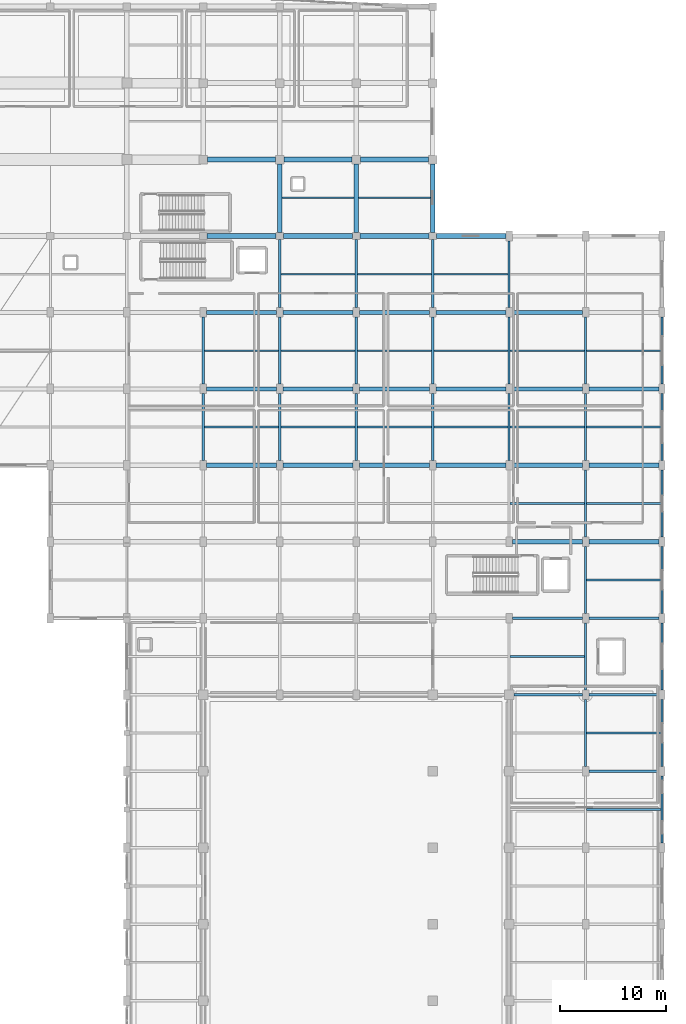
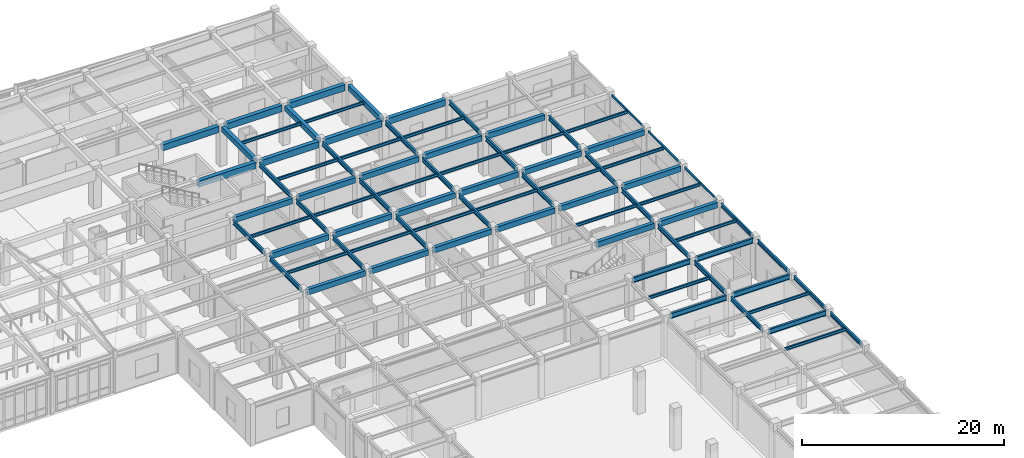
# One storey, part 59 of 117: 84 beams.
"""IFC4 building model written with IfcOpenShell, lengths in metres."""

from ifc_helpers import new_model, si_unit, direction, frame, origin, origin_2d, place, context, subcontext, project, spatial, rectangle, hollow_rectangle, i_section, extrude, material, material_profile, profile_set, type_object, element, save


model = new_model("IFC4")

# Units and contexts
model_context = context("Model", 3, precision=1e-05, world=origin(), true_north=direction((0.0, 1.0)))
body_context = subcontext(model_context, "Body", "Model", "MODEL_VIEW")
ifc_project = project(units=[si_unit("LENGTHUNIT", "METRE"), si_unit("AREAUNIT", "SQUARE_METRE"), si_unit("VOLUMEUNIT", "CUBIC_METRE"), si_unit("PLANEANGLEUNIT", "RADIAN"), si_unit("MASSUNIT", "GRAM", prefix="KILO")], contexts=[model_context])

# Site, building, storey
site_placement = place(None, origin())
site = spatial("IfcSite", under=ifc_project, at=site_placement, CompositionType="ELEMENT")
building_placement = place(site_placement, origin())
building = spatial("IfcBuilding", under=site, at=building_placement, Name="Carrowvane Square Congress Hotel", CompositionType="ELEMENT")
storey_placement = place(building_placement, frame((0.0, 0.0, 5.39990234375)))
storey = spatial("IfcBuildingStorey", under=building, at=storey_placement, Name="L01", CompositionType="ELEMENT", Elevation=5.39990234375)

# Beams
ifc_material_1 = material(Name="Concrete C35/45", Category="concrete")
ifc_material_profile_1 = material_profile(ifc_material_1, rectangle(XDim=0.39990234375, YDim=0.64990234375, at=origin_2d()), Name="RC 400x650")
ifc_profile_set_1 = profile_set([ifc_material_profile_1], Name="Concrete C35/45")
beam_type_1 = type_object("IfcBeamType", Name="BM-RC-400x650", PredefinedType="BEAM", material=ifc_profile_set_1)
beam_1_placement = place(storey_placement, frame((170.300048828125, 63.0, 4.455078125), z_axis=(1.0, 0.0, 0.0), x_axis=(0.0, 1.0, 0.0)))
element("IfcBeam", 1, at=beam_1_placement, inside=storey, type_object=beam_type_1, Name="L02 girder J/23-24", PredefinedType="BEAM", context=body_context, shape_type="SweptSolid", body=[
    extrude(rectangle(XDim=0.39990234375, YDim=0.64990234375, at=origin_2d()), origin(), (0.0, 0.0, 1.0), 6.599853515625),
])
for number, where, z_axis, x_axis, name in (
    (2, (177.5, 63.0, 4.455078125), (1.0, 0.0, 0.0), (0.0, 1.0, 0.0), "L02 girder J/24-25"),
    (3, (141.5, 70.199951171875, 4.455078125), (1.0, 0.0, 0.0), (0.0, 1.0, 0.0), "L02 girder K/19-20"),
    (4, (148.699951171875, 70.199951171875, 4.455078125), (1.0, 0.0, 0.0), (0.0, 1.0, 0.0), "L02 girder K/20-21"),
    (5, (155.89990234375, 70.199951171875, 4.455078125), (1.0, 0.0, 0.0), (0.0, 1.0, 0.0), "L02 girder K/21-22"),
):
    element("IfcBeam", number, at=place(storey_placement, frame(where, z_axis=z_axis, x_axis=x_axis)), inside=storey, type_object=beam_type_1, Name=name, PredefinedType="BEAM", context=body_context, shape_type="SweptSolid", body=[
        extrude(rectangle(XDim=0.39990234375, YDim=0.64990234375, at=origin_2d()), origin(), (0.0, 0.0, 1.0), 6.60009765625),
    ])
for number, where, z_axis, x_axis, name in (
    (6, (163.10009765625, 70.199951171875, 4.455078125), (1.0, 0.0, 0.0), (0.0, 1.0, 0.0), "L02 girder K/22-23"),
    (7, (170.300048828125, 70.199951171875, 4.455078125), (1.0, 0.0, 0.0), (0.0, 1.0, 0.0), "L02 girder K/23-24"),
):
    element("IfcBeam", number, at=place(storey_placement, frame(where, z_axis=z_axis, x_axis=x_axis)), inside=storey, type_object=beam_type_1, Name=name, PredefinedType="BEAM", context=body_context, shape_type="SweptSolid", body=[
        extrude(rectangle(XDim=0.39990234375, YDim=0.64990234375, at=origin_2d()), origin(), (0.0, 0.0, 1.0), 6.599853515625),
    ])
for number, where, z_axis, x_axis, name in (
    (8, (177.5, 70.199951171875, 4.455078125), (1.0, 0.0, 0.0), (0.0, 1.0, 0.0), "L02 girder K/24-25"),
    (9, (141.5, 77.39990234375, 4.455078125), (1.0, 0.0, 0.0), (0.0, 1.0, 0.0), "L02 girder L/19-20"),
    (10, (148.699951171875, 77.39990234375, 4.455078125), (1.0, 0.0, 0.0), (0.0, 1.0, 0.0), "L02 girder L/20-21"),
    (11, (155.89990234375, 77.39990234375, 4.455078125), (1.0, 0.0, 0.0), (0.0, 1.0, 0.0), "L02 girder L/21-22"),
):
    element("IfcBeam", number, at=place(storey_placement, frame(where, z_axis=z_axis, x_axis=x_axis)), inside=storey, type_object=beam_type_1, Name=name, PredefinedType="BEAM", context=body_context, shape_type="SweptSolid", body=[
        extrude(rectangle(XDim=0.39990234375, YDim=0.64990234375, at=origin_2d()), origin(), (0.0, 0.0, 1.0), 6.60009765625),
    ])
for number, where, z_axis, x_axis, name in (
    (12, (163.10009765625, 77.39990234375, 4.455078125), (1.0, 0.0, 0.0), (0.0, 1.0, 0.0), "L02 girder L/22-23"),
    (13, (170.300048828125, 77.39990234375, 4.455078125), (1.0, 0.0, 0.0), (0.0, 1.0, 0.0), "L02 girder L/23-24"),
):
    element("IfcBeam", number, at=place(storey_placement, frame(where, z_axis=z_axis, x_axis=x_axis)), inside=storey, type_object=beam_type_1, Name=name, PredefinedType="BEAM", context=body_context, shape_type="SweptSolid", body=[
        extrude(rectangle(XDim=0.39990234375, YDim=0.64990234375, at=origin_2d()), origin(), (0.0, 0.0, 1.0), 6.599853515625),
    ])
for number, where, z_axis, x_axis, name in (
    (14, (177.5, 77.39990234375, 4.455078125), (1.0, 0.0, 0.0), (0.0, 1.0, 0.0), "L02 girder L/24-25"),
    (15, (141.5, 84.60009765625, 4.455078125), (1.0, 0.0, 0.0), (0.0, 1.0, 0.0), "L02 girder M/19-20"),
    (16, (148.699951171875, 84.60009765625, 4.455078125), (1.0, 0.0, 0.0), (0.0, 1.0, 0.0), "L02 girder M/20-21"),
    (17, (155.89990234375, 84.60009765625, 4.455078125), (1.0, 0.0, 0.0), (0.0, 1.0, 0.0), "L02 girder M/21-22"),
):
    element("IfcBeam", number, at=place(storey_placement, frame(where, z_axis=z_axis, x_axis=x_axis)), inside=storey, type_object=beam_type_1, Name=name, PredefinedType="BEAM", context=body_context, shape_type="SweptSolid", body=[
        extrude(rectangle(XDim=0.39990234375, YDim=0.64990234375, at=origin_2d()), origin(), (0.0, 0.0, 1.0), 6.60009765625),
    ])
for number, where, z_axis, x_axis, name in (
    (18, (163.10009765625, 84.60009765625, 4.455078125), (1.0, 0.0, 0.0), (0.0, 1.0, 0.0), "L02 girder M/22-23"),
    (19, (170.300048828125, 84.60009765625, 4.455078125), (1.0, 0.0, 0.0), (0.0, 1.0, 0.0), "L02 girder M/23-24"),
):
    element("IfcBeam", number, at=place(storey_placement, frame(where, z_axis=z_axis, x_axis=x_axis)), inside=storey, type_object=beam_type_1, Name=name, PredefinedType="BEAM", context=body_context, shape_type="SweptSolid", body=[
        extrude(rectangle(XDim=0.39990234375, YDim=0.64990234375, at=origin_2d()), origin(), (0.0, 0.0, 1.0), 6.599853515625),
    ])
for number, where, z_axis, x_axis, name in (
    (20, (148.39990234375, 92.14990234375, 4.455078125), (0.0, 1.0, 0.0), (-1.0, 0.0, 0.0), "L02 girder 20/N-P"),
    (21, (155.60009765625, 92.14990234375, 4.455078125), (0.0, 1.0, 0.0), (-1.0, 0.0, 0.0), "L02 girder 21/N-P"),
    (22, (162.800048828125, 92.14990234375, 4.455078125), (0.0, 1.0, 0.0), (-1.0, 0.0, 0.0), "L02 girder 22/N-P"),
):
    element("IfcBeam", number, at=place(storey_placement, frame(where, z_axis=z_axis, x_axis=x_axis)), inside=storey, type_object=beam_type_1, Name=name, PredefinedType="BEAM", context=body_context, shape_type="SweptSolid", body=[
        extrude(rectangle(XDim=0.39990234375, YDim=0.64990234375, at=origin_2d()), origin(), (0.0, 0.0, 1.0), 6.4501953125),
    ])
ifc_material_2 = material(Name="Concrete C35/45", Category="concrete")
ifc_material_profile_2 = material_profile(ifc_material_2, rectangle(XDim=0.449951171875, YDim=0.75, at=origin_2d()), Name="RC 450x750")
ifc_profile_set_2 = profile_set([ifc_material_profile_2], Name="Concrete C35/45")
beam_type_2 = type_object("IfcBeamType", Name="BM-RC-450x750", PredefinedType="USERDEFINED", material=ifc_profile_set_2)
for number, where, z_axis, x_axis, name in (
    (23, (141.550048828125, 91.800048828125, 4.405029296875), (1.0, 0.0, 0.0), (0.0, 1.0, 0.0), "L02 girder N/19-20"),
    (24, (148.75, 91.800048828125, 4.405029296875), (1.0, 0.0, 0.0), (0.0, 1.0, 0.0), "L02 girder N/20-21"),
    (25, (155.949951171875, 91.800048828125, 4.405029296875), (1.0, 0.0, 0.0), (0.0, 1.0, 0.0), "L02 girder N/21-22"),
):
    element("IfcBeam", number, at=place(storey_placement, frame(where, z_axis=z_axis, x_axis=x_axis)), inside=storey, type_object=beam_type_2, Name=name, ObjectType="GIRDER", PredefinedType="USERDEFINED", context=body_context, shape_type="SweptSolid", body=[
        extrude(rectangle(XDim=0.449951171875, YDim=0.75, at=origin_2d()), origin(), (0.0, 0.0, 1.0), 6.5),
    ])
beam_2_placement = place(storey_placement, frame((163.14990234375, 91.800048828125, 4.405029296875), z_axis=(1.0, 0.0, 0.0), x_axis=(0.0, 1.0, 0.0)))
element("IfcBeam", 26, at=beam_2_placement, inside=storey, type_object=beam_type_2, Name="L02 girder N/22-23", ObjectType="GIRDER", PredefinedType="USERDEFINED", context=body_context, shape_type="SweptSolid", body=[
    extrude(rectangle(XDim=0.449951171875, YDim=0.75, at=origin_2d()), origin(), (0.0, 0.0, 1.0), 6.550048828125),
])
for number, where, z_axis, x_axis, name in (
    (27, (141.60009765625, 99.0, 4.405029296875), (1.0, 0.0, 0.0), (0.0, 1.0, 0.0), "L02 girder P/19-20"),
    (28, (148.800048828125, 99.0, 4.405029296875), (1.0, 0.0, 0.0), (0.0, 1.0, 0.0), "L02 girder P/20-21"),
    (29, (156.0, 99.0, 4.405029296875), (1.0, 0.0, 0.0), (0.0, 1.0, 0.0), "L02 girder P/21-22"),
):
    element("IfcBeam", number, at=place(storey_placement, frame(where, z_axis=z_axis, x_axis=x_axis)), inside=storey, type_object=beam_type_2, Name=name, ObjectType="GIRDER", PredefinedType="USERDEFINED", context=body_context, shape_type="SweptSolid", body=[
        extrude(rectangle(XDim=0.449951171875, YDim=0.75, at=origin_2d()), origin(), (0.0, 0.0, 1.0), 6.39990234375),
    ])
ifc_material_3 = material(Name="Steel S355", Category="steel")
ifc_material_profile_3 = material_profile(ifc_material_3, hollow_rectangle(XDim=0.14990234375, YDim=0.25, WallThickness=0.012451171875, at=origin_2d()), Name="RHS 250x150x12.5")
ifc_profile_set_3 = profile_set([ifc_material_profile_3], Name="Steel S355")
beam_type_3 = type_object("IfcBeamType", Name="BM-ST-RHS250", PredefinedType="SPANDREL", material=ifc_profile_set_3)
for number, where, z_axis, x_axis, name in (
    (30, (184.39990234375, 63.449951171875, 4.655029296875), (0.0, 1.0, 0.0), (-1.0, 0.0, 0.0), "L02 girder 25/J-K"),
    (31, (184.39990234375, 70.64990234375, 4.655029296875), (0.0, 1.0, 0.0), (-1.0, 0.0, 0.0), "L02 girder 25/K-L"),
):
    element("IfcBeam", number, at=place(storey_placement, frame(where, z_axis=z_axis, x_axis=x_axis)), inside=storey, type_object=beam_type_3, Name=name, PredefinedType="SPANDREL", context=body_context, shape_type="SweptSolid", body=[
        extrude(hollow_rectangle(XDim=0.14990234375, YDim=0.25, WallThickness=0.012451171875, at=origin_2d()), origin(), (0.0, 0.0, 1.0), 6.300048828125),
    ])
beam_3_placement = place(storey_placement, frame((184.39990234375, 77.85009765625, 4.655029296875), z_axis=(0.0, 1.0, 0.0), x_axis=(-1.0, 0.0, 0.0)))
element("IfcBeam", 32, at=beam_3_placement, inside=storey, type_object=beam_type_3, Name="L02 girder 25/L-M", PredefinedType="SPANDREL", context=body_context, shape_type="SweptSolid", body=[
    extrude(hollow_rectangle(XDim=0.14990234375, YDim=0.25, WallThickness=0.012451171875, at=origin_2d()), origin(), (0.0, 0.0, 1.0), 6.2998046875),
])
ifc_material_4 = material(Name="Steel S355", Category="steel")
ifc_material_profile_4 = material_profile(ifc_material_4, i_section(OverallWidth=0.172119140625, OverallDepth=0.35791015625, WebThickness=0.008056640625, FlangeThickness=0.012939453125, FilletRadius=0.01025390625, at=origin_2d()), Name="UKB 356x171x57")
ifc_profile_set_4 = profile_set([ifc_material_profile_4], Name="Steel S355")
beam_type_4 = type_object("IfcBeamType", Name="BM-ST-UKB356", PredefinedType="JOIST", material=ifc_profile_set_4)
for number, where, z_axis, x_axis, name in (
    (33, (141.304931640625, 73.800048828125, 4.60107421875), (1.0, 0.0, 0.0), (0.0, 1.0, 0.0), "L02 secondary joist 19-20"),
    (34, (141.304931640625, 81.0, 4.60107421875), (1.0, 0.0, 0.0), (0.0, 1.0, 0.0), "L02 secondary joist 19-20"),
):
    element("IfcBeam", number, at=place(storey_placement, frame(where, z_axis=z_axis, x_axis=x_axis)), inside=storey, type_object=beam_type_4, Name=name, PredefinedType="JOIST", context=body_context, shape_type="SweptSolid", body=[
        extrude(i_section(OverallWidth=0.172119140625, OverallDepth=0.35791015625, WebThickness=0.008056640625, FlangeThickness=0.012939453125, FilletRadius=0.01025390625, at=origin_2d()), origin(), (0.0, 0.0, 1.0), 6.989990234375),
    ])
for number, where, z_axis, x_axis, name in (
    (35, (148.5048828125, 73.800048828125, 4.60107421875), (1.0, 0.0, 0.0), (0.0, 1.0, 0.0), "L02 secondary joist 20-21"),
    (36, (148.5048828125, 81.0, 4.60107421875), (1.0, 0.0, 0.0), (0.0, 1.0, 0.0), "L02 secondary joist 20-21"),
    (37, (148.5048828125, 88.199951171875, 4.60107421875), (1.0, 0.0, 0.0), (0.0, 1.0, 0.0), "L02 secondary joist 20-21"),
):
    element("IfcBeam", number, at=place(storey_placement, frame(where, z_axis=z_axis, x_axis=x_axis)), inside=storey, type_object=beam_type_4, Name=name, PredefinedType="JOIST", context=body_context, shape_type="SweptSolid", body=[
        extrude(i_section(OverallWidth=0.172119140625, OverallDepth=0.35791015625, WebThickness=0.008056640625, FlangeThickness=0.012939453125, FilletRadius=0.01025390625, at=origin_2d()), origin(), (0.0, 0.0, 1.0), 6.990234375),
    ])
beam_4_placement = place(storey_placement, frame((148.60009765625, 95.39990234375, 4.60107421875), z_axis=(1.0, 0.0, 0.0), x_axis=(0.0, 1.0, 0.0)))
element("IfcBeam", 38, at=beam_4_placement, inside=storey, type_object=beam_type_4, Name="L02 secondary joist 20-21", PredefinedType="JOIST", context=body_context, shape_type="SweptSolid", body=[
    extrude(i_section(OverallWidth=0.172119140625, OverallDepth=0.35791015625, WebThickness=0.008056640625, FlangeThickness=0.012939453125, FilletRadius=0.01025390625, at=origin_2d()), origin(), (0.0, 0.0, 1.0), 6.7998046875),
])
for number, where, z_axis, x_axis, name in (
    (39, (155.705078125, 73.800048828125, 4.60107421875), (1.0, 0.0, 0.0), (0.0, 1.0, 0.0), "L02 secondary joist 21-22"),
    (40, (155.705078125, 81.0, 4.60107421875), (1.0, 0.0, 0.0), (0.0, 1.0, 0.0), "L02 secondary joist 21-22"),
    (41, (155.705078125, 88.199951171875, 4.60107421875), (1.0, 0.0, 0.0), (0.0, 1.0, 0.0), "L02 secondary joist 21-22"),
):
    element("IfcBeam", number, at=place(storey_placement, frame(where, z_axis=z_axis, x_axis=x_axis)), inside=storey, type_object=beam_type_4, Name=name, PredefinedType="JOIST", context=body_context, shape_type="SweptSolid", body=[
        extrude(i_section(OverallWidth=0.172119140625, OverallDepth=0.35791015625, WebThickness=0.008056640625, FlangeThickness=0.012939453125, FilletRadius=0.01025390625, at=origin_2d()), origin(), (0.0, 0.0, 1.0), 6.989990234375),
    ])
beam_5_placement = place(storey_placement, frame((155.800048828125, 95.39990234375, 4.60107421875), z_axis=(1.0, 0.0, 0.0), x_axis=(0.0, 1.0, 0.0)))
element("IfcBeam", 42, at=beam_5_placement, inside=storey, type_object=beam_type_4, Name="L02 secondary joist 21-22", PredefinedType="JOIST", context=body_context, shape_type="SweptSolid", body=[
    extrude(i_section(OverallWidth=0.172119140625, OverallDepth=0.35791015625, WebThickness=0.008056640625, FlangeThickness=0.012939453125, FilletRadius=0.01025390625, at=origin_2d()), origin(), (0.0, 0.0, 1.0), 6.800048828125),
])
for number, where, z_axis, x_axis, name in (
    (43, (162.905029296875, 73.800048828125, 4.60107421875), (1.0, 0.0, 0.0), (0.0, 1.0, 0.0), "L02 secondary joist 22-23"),
    (44, (162.905029296875, 81.0, 4.60107421875), (1.0, 0.0, 0.0), (0.0, 1.0, 0.0), "L02 secondary joist 22-23"),
    (45, (162.905029296875, 88.199951171875, 4.60107421875), (1.0, 0.0, 0.0), (0.0, 1.0, 0.0), "L02 secondary joist 22-23"),
    (46, (170.10498046875, 52.199951171875, 4.60107421875), (1.0, 0.0, 0.0), (0.0, 1.0, 0.0), "L02 secondary joist 23-24"),
    (47, (170.10498046875, 66.60009765625, 4.60107421875), (1.0, 0.0, 0.0), (0.0, 1.0, 0.0), "L02 secondary joist 23-24"),
    (48, (170.10498046875, 73.800048828125, 4.60107421875), (1.0, 0.0, 0.0), (0.0, 1.0, 0.0), "L02 secondary joist 23-24"),
    (49, (170.10498046875, 81.0, 4.60107421875), (1.0, 0.0, 0.0), (0.0, 1.0, 0.0), "L02 secondary joist 23-24"),
):
    element("IfcBeam", number, at=place(storey_placement, frame(where, z_axis=z_axis, x_axis=x_axis)), inside=storey, type_object=beam_type_4, Name=name, PredefinedType="JOIST", context=body_context, shape_type="SweptSolid", body=[
        extrude(i_section(OverallWidth=0.172119140625, OverallDepth=0.35791015625, WebThickness=0.008056640625, FlangeThickness=0.012939453125, FilletRadius=0.01025390625, at=origin_2d()), origin(), (0.0, 0.0, 1.0), 6.989990234375),
    ])
for number, where, z_axis, x_axis, name in (
    (50, (177.304931640625, 37.800048828125, 4.60107421875), (1.0, 0.0, 0.0), (0.0, 1.0, 0.0), "L02 secondary joist 24-25"),
    (51, (177.304931640625, 45.0, 4.60107421875), (1.0, 0.0, 0.0), (0.0, 1.0, 0.0), "L02 secondary joist 24-25"),
    (52, (177.304931640625, 59.39990234375, 4.60107421875), (1.0, 0.0, 0.0), (0.0, 1.0, 0.0), "L02 secondary joist 24-25"),
):
    element("IfcBeam", number, at=place(storey_placement, frame(where, z_axis=z_axis, x_axis=x_axis)), inside=storey, type_object=beam_type_4, Name=name, PredefinedType="JOIST", context=body_context, shape_type="SweptSolid", body=[
        extrude(i_section(OverallWidth=0.172119140625, OverallDepth=0.35791015625, WebThickness=0.008056640625, FlangeThickness=0.012939453125, FilletRadius=0.01025390625, at=origin_2d()), origin(), (0.0, 0.0, 1.0), 6.99951171875),
    ])
for number, where, z_axis, x_axis, name in (
    (53, (177.304931640625, 66.60009765625, 4.60107421875), (1.0, 0.0, 0.0), (0.0, 1.0, 0.0), "L02 secondary joist 24-25"),
    (54, (177.304931640625, 73.800048828125, 4.60107421875), (1.0, 0.0, 0.0), (0.0, 1.0, 0.0), "L02 secondary joist 24-25"),
    (55, (177.304931640625, 81.0, 4.60107421875), (1.0, 0.0, 0.0), (0.0, 1.0, 0.0), "L02 secondary joist 24-25"),
):
    element("IfcBeam", number, at=place(storey_placement, frame(where, z_axis=z_axis, x_axis=x_axis)), inside=storey, type_object=beam_type_4, Name=name, PredefinedType="JOIST", context=body_context, shape_type="SweptSolid", body=[
        extrude(i_section(OverallWidth=0.172119140625, OverallDepth=0.35791015625, WebThickness=0.008056640625, FlangeThickness=0.012939453125, FilletRadius=0.01025390625, at=origin_2d()), origin(), (0.0, 0.0, 1.0), 7.02001953125),
    ])
ifc_material_5 = material(Name="Steel S355", Category="steel")
ifc_material_profile_5 = material_profile(ifc_material_5, i_section(OverallWidth=0.19140625, OverallDepth=0.4599609375, WebThickness=0.010009765625, FlangeThickness=0.01611328125, FilletRadius=0.01025390625, at=origin_2d()), Name="UKB 457x191x82")
ifc_profile_set_5 = profile_set([ifc_material_profile_5], Name="Steel S355")
beam_type_5 = type_object("IfcBeamType", Name="BM-ST-UKB457", PredefinedType="SPANDREL", material=ifc_profile_set_5)
beam_6_placement = place(storey_placement, frame((184.39990234375, 34.64990234375, 4.550048828125), z_axis=(0.0, 1.0, 0.0), x_axis=(-1.0, 0.0, 0.0)))
element("IfcBeam", 56, at=beam_6_placement, inside=storey, type_object=beam_type_5, Name="L02 girder 25/E-F", PredefinedType="SPANDREL", context=body_context, shape_type="SweptSolid", body=[
    extrude(i_section(OverallWidth=0.19140625, OverallDepth=0.4599609375, WebThickness=0.010009765625, FlangeThickness=0.01611328125, FilletRadius=0.01025390625, at=origin_2d()), origin(), (0.0, 0.0, 1.0), 6.300048828125),
])
beam_7_placement = place(storey_placement, frame((184.39990234375, 41.85009765625, 4.550048828125), z_axis=(0.0, 1.0, 0.0), x_axis=(-1.0, 0.0, 0.0)))
element("IfcBeam", 57, at=beam_7_placement, inside=storey, type_object=beam_type_5, Name="L02 girder 25/F-G", PredefinedType="SPANDREL", context=body_context, shape_type="SweptSolid", body=[
    extrude(i_section(OverallWidth=0.19140625, OverallDepth=0.4599609375, WebThickness=0.010009765625, FlangeThickness=0.01611328125, FilletRadius=0.01025390625, at=origin_2d()), origin(), (0.0, 0.0, 1.0), 6.2998046875),
])
for number, where, z_axis, x_axis, name in (
    (58, (184.39990234375, 49.050048828125, 4.550048828125), (0.0, 1.0, 0.0), (-1.0, 0.0, 0.0), "L02 girder 25/G-H"),
    (59, (184.39990234375, 56.25, 4.550048828125), (0.0, 1.0, 0.0), (-1.0, 0.0, 0.0), "L02 girder 25/H-J"),
):
    element("IfcBeam", number, at=place(storey_placement, frame(where, z_axis=z_axis, x_axis=x_axis)), inside=storey, type_object=beam_type_5, Name=name, PredefinedType="SPANDREL", context=body_context, shape_type="SweptSolid", body=[
        extrude(i_section(OverallWidth=0.19140625, OverallDepth=0.4599609375, WebThickness=0.010009765625, FlangeThickness=0.01611328125, FilletRadius=0.01025390625, at=origin_2d()), origin(), (0.0, 0.0, 1.0), 6.300048828125),
    ])
ifc_material_6 = material(Name="Steel S355", Category="steel")
ifc_material_profile_6 = material_profile(ifc_material_6, i_section(OverallWidth=0.2099609375, OverallDepth=0.53662109375, WebThickness=0.0107421875, FlangeThickness=0.017333984375, FilletRadius=0.0126953125, at=origin_2d()), Name="UKB 533x210x101")
ifc_profile_set_6 = profile_set([ifc_material_profile_6], Name="Steel S355")
beam_type_6 = type_object("IfcBeamType", Name="BM-ST-UKB533", PredefinedType="USERDEFINED", material=ifc_profile_set_6)
beam_8_placement = place(storey_placement, frame((141.199951171875, 70.64990234375, 4.51171875), z_axis=(0.0, 1.0, 0.0), x_axis=(-1.0, 0.0, 0.0)))
element("IfcBeam", 60, at=beam_8_placement, inside=storey, type_object=beam_type_6, Name="L02 girder 19/K-L", ObjectType="GIRDER", PredefinedType="USERDEFINED", context=body_context, shape_type="SweptSolid", body=[
    extrude(i_section(OverallWidth=0.2099609375, OverallDepth=0.53662109375, WebThickness=0.0107421875, FlangeThickness=0.017333984375, FilletRadius=0.0126953125, at=origin_2d()), origin(), (0.0, 0.0, 1.0), 6.300048828125),
])
beam_9_placement = place(storey_placement, frame((141.199951171875, 77.85009765625, 4.51171875), z_axis=(0.0, 1.0, 0.0), x_axis=(-1.0, 0.0, 0.0)))
element("IfcBeam", 61, at=beam_9_placement, inside=storey, type_object=beam_type_6, Name="L02 girder 19/L-M", ObjectType="GIRDER", PredefinedType="USERDEFINED", context=body_context, shape_type="SweptSolid", body=[
    extrude(i_section(OverallWidth=0.2099609375, OverallDepth=0.53662109375, WebThickness=0.0107421875, FlangeThickness=0.017333984375, FilletRadius=0.0126953125, at=origin_2d()), origin(), (0.0, 0.0, 1.0), 6.2998046875),
])
beam_10_placement = place(storey_placement, frame((148.39990234375, 70.64990234375, 4.51171875), z_axis=(0.0, 1.0, 0.0), x_axis=(-1.0, 0.0, 0.0)))
element("IfcBeam", 62, at=beam_10_placement, inside=storey, type_object=beam_type_6, Name="L02 girder 20/K-L", ObjectType="GIRDER", PredefinedType="USERDEFINED", context=body_context, shape_type="SweptSolid", body=[
    extrude(i_section(OverallWidth=0.2099609375, OverallDepth=0.53662109375, WebThickness=0.0107421875, FlangeThickness=0.017333984375, FilletRadius=0.0126953125, at=origin_2d()), origin(), (0.0, 0.0, 1.0), 6.300048828125),
])
beam_11_placement = place(storey_placement, frame((148.39990234375, 77.85009765625, 4.51171875), z_axis=(0.0, 1.0, 0.0), x_axis=(-1.0, 0.0, 0.0)))
element("IfcBeam", 63, at=beam_11_placement, inside=storey, type_object=beam_type_6, Name="L02 girder 20/L-M", ObjectType="GIRDER", PredefinedType="USERDEFINED", context=body_context, shape_type="SweptSolid", body=[
    extrude(i_section(OverallWidth=0.2099609375, OverallDepth=0.53662109375, WebThickness=0.0107421875, FlangeThickness=0.017333984375, FilletRadius=0.0126953125, at=origin_2d()), origin(), (0.0, 0.0, 1.0), 6.2998046875),
])
beam_12_placement = place(storey_placement, frame((148.39990234375, 85.050048828125, 4.51171875), z_axis=(0.0, 1.0, 0.0), x_axis=(-1.0, 0.0, 0.0)))
element("IfcBeam", 64, at=beam_12_placement, inside=storey, type_object=beam_type_6, Name="L02 girder 20/M-N", ObjectType="GIRDER", PredefinedType="USERDEFINED", context=body_context, shape_type="SweptSolid", body=[
    extrude(i_section(OverallWidth=0.2099609375, OverallDepth=0.53662109375, WebThickness=0.0107421875, FlangeThickness=0.017333984375, FilletRadius=0.0126953125, at=origin_2d()), origin(), (0.0, 0.0, 1.0), 6.39990234375),
])
beam_13_placement = place(storey_placement, frame((155.60009765625, 70.64990234375, 4.51171875), z_axis=(0.0, 1.0, 0.0), x_axis=(-1.0, 0.0, 0.0)))
element("IfcBeam", 65, at=beam_13_placement, inside=storey, type_object=beam_type_6, Name="L02 girder 21/K-L", ObjectType="GIRDER", PredefinedType="USERDEFINED", context=body_context, shape_type="SweptSolid", body=[
    extrude(i_section(OverallWidth=0.2099609375, OverallDepth=0.53662109375, WebThickness=0.0107421875, FlangeThickness=0.017333984375, FilletRadius=0.0126953125, at=origin_2d()), origin(), (0.0, 0.0, 1.0), 6.300048828125),
])
beam_14_placement = place(storey_placement, frame((155.60009765625, 77.85009765625, 4.51171875), z_axis=(0.0, 1.0, 0.0), x_axis=(-1.0, 0.0, 0.0)))
element("IfcBeam", 66, at=beam_14_placement, inside=storey, type_object=beam_type_6, Name="L02 girder 21/L-M", ObjectType="GIRDER", PredefinedType="USERDEFINED", context=body_context, shape_type="SweptSolid", body=[
    extrude(i_section(OverallWidth=0.2099609375, OverallDepth=0.53662109375, WebThickness=0.0107421875, FlangeThickness=0.017333984375, FilletRadius=0.0126953125, at=origin_2d()), origin(), (0.0, 0.0, 1.0), 6.2998046875),
])
beam_15_placement = place(storey_placement, frame((155.60009765625, 85.050048828125, 4.51171875), z_axis=(0.0, 1.0, 0.0), x_axis=(-1.0, 0.0, 0.0)))
element("IfcBeam", 67, at=beam_15_placement, inside=storey, type_object=beam_type_6, Name="L02 girder 21/M-N", ObjectType="GIRDER", PredefinedType="USERDEFINED", context=body_context, shape_type="SweptSolid", body=[
    extrude(i_section(OverallWidth=0.2099609375, OverallDepth=0.53662109375, WebThickness=0.0107421875, FlangeThickness=0.017333984375, FilletRadius=0.0126953125, at=origin_2d()), origin(), (0.0, 0.0, 1.0), 6.39990234375),
])
beam_16_placement = place(storey_placement, frame((162.800048828125, 70.64990234375, 4.51171875), z_axis=(0.0, 1.0, 0.0), x_axis=(-1.0, 0.0, 0.0)))
element("IfcBeam", 68, at=beam_16_placement, inside=storey, type_object=beam_type_6, Name="L02 girder 22/K-L", ObjectType="GIRDER", PredefinedType="USERDEFINED", context=body_context, shape_type="SweptSolid", body=[
    extrude(i_section(OverallWidth=0.2099609375, OverallDepth=0.53662109375, WebThickness=0.0107421875, FlangeThickness=0.017333984375, FilletRadius=0.0126953125, at=origin_2d()), origin(), (0.0, 0.0, 1.0), 6.300048828125),
])
beam_17_placement = place(storey_placement, frame((162.800048828125, 77.85009765625, 4.51171875), z_axis=(0.0, 1.0, 0.0), x_axis=(-1.0, 0.0, 0.0)))
element("IfcBeam", 69, at=beam_17_placement, inside=storey, type_object=beam_type_6, Name="L02 girder 22/L-M", ObjectType="GIRDER", PredefinedType="USERDEFINED", context=body_context, shape_type="SweptSolid", body=[
    extrude(i_section(OverallWidth=0.2099609375, OverallDepth=0.53662109375, WebThickness=0.0107421875, FlangeThickness=0.017333984375, FilletRadius=0.0126953125, at=origin_2d()), origin(), (0.0, 0.0, 1.0), 6.2998046875),
])
beam_18_placement = place(storey_placement, frame((162.800048828125, 85.050048828125, 4.51171875), z_axis=(0.0, 1.0, 0.0), x_axis=(-1.0, 0.0, 0.0)))
element("IfcBeam", 70, at=beam_18_placement, inside=storey, type_object=beam_type_6, Name="L02 girder 22/M-N", ObjectType="GIRDER", PredefinedType="USERDEFINED", context=body_context, shape_type="SweptSolid", body=[
    extrude(i_section(OverallWidth=0.2099609375, OverallDepth=0.53662109375, WebThickness=0.0107421875, FlangeThickness=0.017333984375, FilletRadius=0.0126953125, at=origin_2d()), origin(), (0.0, 0.0, 1.0), 6.39990234375),
])
beam_19_placement = place(storey_placement, frame((170.0, 70.64990234375, 4.51171875), z_axis=(0.0, 1.0, 0.0), x_axis=(-1.0, 0.0, 0.0)))
element("IfcBeam", 71, at=beam_19_placement, inside=storey, type_object=beam_type_6, Name="L02 girder 23/K-L", ObjectType="GIRDER", PredefinedType="USERDEFINED", context=body_context, shape_type="SweptSolid", body=[
    extrude(i_section(OverallWidth=0.2099609375, OverallDepth=0.53662109375, WebThickness=0.0107421875, FlangeThickness=0.017333984375, FilletRadius=0.0126953125, at=origin_2d()), origin(), (0.0, 0.0, 1.0), 6.300048828125),
])
beam_20_placement = place(storey_placement, frame((170.0, 77.85009765625, 4.51171875), z_axis=(0.0, 1.0, 0.0), x_axis=(-1.0, 0.0, 0.0)))
element("IfcBeam", 72, at=beam_20_placement, inside=storey, type_object=beam_type_6, Name="L02 girder 23/L-M", ObjectType="GIRDER", PredefinedType="USERDEFINED", context=body_context, shape_type="SweptSolid", body=[
    extrude(i_section(OverallWidth=0.2099609375, OverallDepth=0.53662109375, WebThickness=0.0107421875, FlangeThickness=0.017333984375, FilletRadius=0.0126953125, at=origin_2d()), origin(), (0.0, 0.0, 1.0), 6.2998046875),
])
beam_21_placement = place(storey_placement, frame((170.0, 85.050048828125, 4.51171875), z_axis=(0.0, 1.0, 0.0), x_axis=(-1.0, 0.0, 0.0)))
element("IfcBeam", 73, at=beam_21_placement, inside=storey, type_object=beam_type_6, Name="L02 girder 23/M-N", ObjectType="GIRDER", PredefinedType="USERDEFINED", context=body_context, shape_type="SweptSolid", body=[
    extrude(i_section(OverallWidth=0.2099609375, OverallDepth=0.53662109375, WebThickness=0.0107421875, FlangeThickness=0.017333984375, FilletRadius=0.0126953125, at=origin_2d()), origin(), (0.0, 0.0, 1.0), 6.300048828125),
])
beam_22_placement = place(storey_placement, frame((177.199951171875, 41.85009765625, 4.51171875), z_axis=(0.0, 1.0, 0.0), x_axis=(-1.0, 0.0, 0.0)))
element("IfcBeam", 74, at=beam_22_placement, inside=storey, type_object=beam_type_6, Name="L02 girder 24/F-G", ObjectType="GIRDER", PredefinedType="USERDEFINED", context=body_context, shape_type="SweptSolid", body=[
    extrude(i_section(OverallWidth=0.2099609375, OverallDepth=0.53662109375, WebThickness=0.0107421875, FlangeThickness=0.017333984375, FilletRadius=0.0126953125, at=origin_2d()), origin(), (0.0, 0.0, 1.0), 6.2998046875),
])
for number, where, z_axis, x_axis, name in (
    (75, (177.199951171875, 49.050048828125, 4.51171875), (0.0, 1.0, 0.0), (-1.0, 0.0, 0.0), "L02 girder 24/G-H"),
    (76, (177.199951171875, 56.25, 4.51171875), (0.0, 1.0, 0.0), (-1.0, 0.0, 0.0), "L02 girder 24/H-J"),
    (77, (177.199951171875, 63.449951171875, 4.51171875), (0.0, 1.0, 0.0), (-1.0, 0.0, 0.0), "L02 girder 24/J-K"),
    (78, (177.199951171875, 70.64990234375, 4.51171875), (0.0, 1.0, 0.0), (-1.0, 0.0, 0.0), "L02 girder 24/K-L"),
):
    element("IfcBeam", number, at=place(storey_placement, frame(where, z_axis=z_axis, x_axis=x_axis)), inside=storey, type_object=beam_type_6, Name=name, ObjectType="GIRDER", PredefinedType="USERDEFINED", context=body_context, shape_type="SweptSolid", body=[
        extrude(i_section(OverallWidth=0.2099609375, OverallDepth=0.53662109375, WebThickness=0.0107421875, FlangeThickness=0.017333984375, FilletRadius=0.0126953125, at=origin_2d()), origin(), (0.0, 0.0, 1.0), 6.300048828125),
    ])
beam_23_placement = place(storey_placement, frame((177.199951171875, 77.85009765625, 4.51171875), z_axis=(0.0, 1.0, 0.0), x_axis=(-1.0, 0.0, 0.0)))
element("IfcBeam", 79, at=beam_23_placement, inside=storey, type_object=beam_type_6, Name="L02 girder 24/L-M", ObjectType="GIRDER", PredefinedType="USERDEFINED", context=body_context, shape_type="SweptSolid", body=[
    extrude(i_section(OverallWidth=0.2099609375, OverallDepth=0.53662109375, WebThickness=0.0107421875, FlangeThickness=0.017333984375, FilletRadius=0.0126953125, at=origin_2d()), origin(), (0.0, 0.0, 1.0), 6.2998046875),
])
ifc_material_7 = material(Name="Steel S355", Category="steel")
ifc_material_profile_7 = material_profile(ifc_material_7, i_section(OverallWidth=0.22900390625, OverallDepth=0.6123046875, WebThickness=0.011962890625, FlangeThickness=0.01953125, FilletRadius=0.0126953125, at=origin_2d()), Name="UKB 610x229x125")
ifc_profile_set_7 = profile_set([ifc_material_profile_7], Name="Steel S355")
beam_type_7 = type_object("IfcBeamType", Name="BM-ST-UKB610A", PredefinedType="USERDEFINED", material=ifc_profile_set_7)
beam_24_placement = place(storey_placement, frame((177.5, 41.39990234375, 4.473876953125), z_axis=(1.0, 0.0, 0.0), x_axis=(0.0, 1.0, 0.0)))
element("IfcBeam", 80, at=beam_24_placement, inside=storey, type_object=beam_type_7, Name="L02 girder F/24-25", ObjectType="GIRDER", PredefinedType="USERDEFINED", context=body_context, shape_type="SweptSolid", body=[
    extrude(i_section(OverallWidth=0.22900390625, OverallDepth=0.6123046875, WebThickness=0.011962890625, FlangeThickness=0.01953125, FilletRadius=0.0126953125, at=origin_2d()), origin(), (0.0, 0.0, 1.0), 6.60009765625),
])
beam_25_placement = place(storey_placement, frame((170.449951171875, 48.60009765625, 4.473876953125), z_axis=(1.0, 0.0, 0.0), x_axis=(0.0, 1.0, 0.0)))
element("IfcBeam", 81, at=beam_25_placement, inside=storey, type_object=beam_type_7, Name="L02 girder G/23-24", ObjectType="GIRDER", PredefinedType="USERDEFINED", context=body_context, shape_type="SweptSolid", body=[
    extrude(i_section(OverallWidth=0.22900390625, OverallDepth=0.6123046875, WebThickness=0.011962890625, FlangeThickness=0.01953125, FilletRadius=0.0126953125, at=origin_2d()), origin(), (0.0, 0.0, 1.0), 6.449951171875),
])
beam_26_placement = place(storey_placement, frame((177.5, 48.60009765625, 4.473876953125), z_axis=(1.0, 0.0, 0.0), x_axis=(0.0, 1.0, 0.0)))
element("IfcBeam", 82, at=beam_26_placement, inside=storey, type_object=beam_type_7, Name="L02 girder G/24-25", ObjectType="GIRDER", PredefinedType="USERDEFINED", context=body_context, shape_type="SweptSolid", body=[
    extrude(i_section(OverallWidth=0.22900390625, OverallDepth=0.6123046875, WebThickness=0.011962890625, FlangeThickness=0.01953125, FilletRadius=0.0126953125, at=origin_2d()), origin(), (0.0, 0.0, 1.0), 6.60009765625),
])
beam_27_placement = place(storey_placement, frame((170.300048828125, 55.800048828125, 4.473876953125), z_axis=(1.0, 0.0, 0.0), x_axis=(0.0, 1.0, 0.0)))
element("IfcBeam", 83, at=beam_27_placement, inside=storey, type_object=beam_type_7, Name="L02 girder H/23-24", ObjectType="GIRDER", PredefinedType="USERDEFINED", context=body_context, shape_type="SweptSolid", body=[
    extrude(i_section(OverallWidth=0.22900390625, OverallDepth=0.6123046875, WebThickness=0.011962890625, FlangeThickness=0.01953125, FilletRadius=0.0126953125, at=origin_2d()), origin(), (0.0, 0.0, 1.0), 6.599853515625),
])
beam_28_placement = place(storey_placement, frame((177.5, 55.800048828125, 4.473876953125), z_axis=(1.0, 0.0, 0.0), x_axis=(0.0, 1.0, 0.0)))
element("IfcBeam", 84, at=beam_28_placement, inside=storey, type_object=beam_type_7, Name="L02 girder H/24-25", ObjectType="GIRDER", PredefinedType="USERDEFINED", context=body_context, shape_type="SweptSolid", body=[
    extrude(i_section(OverallWidth=0.22900390625, OverallDepth=0.6123046875, WebThickness=0.011962890625, FlangeThickness=0.01953125, FilletRadius=0.0126953125, at=origin_2d()), origin(), (0.0, 0.0, 1.0), 6.60009765625),
])

save(model, "model.ifc")
